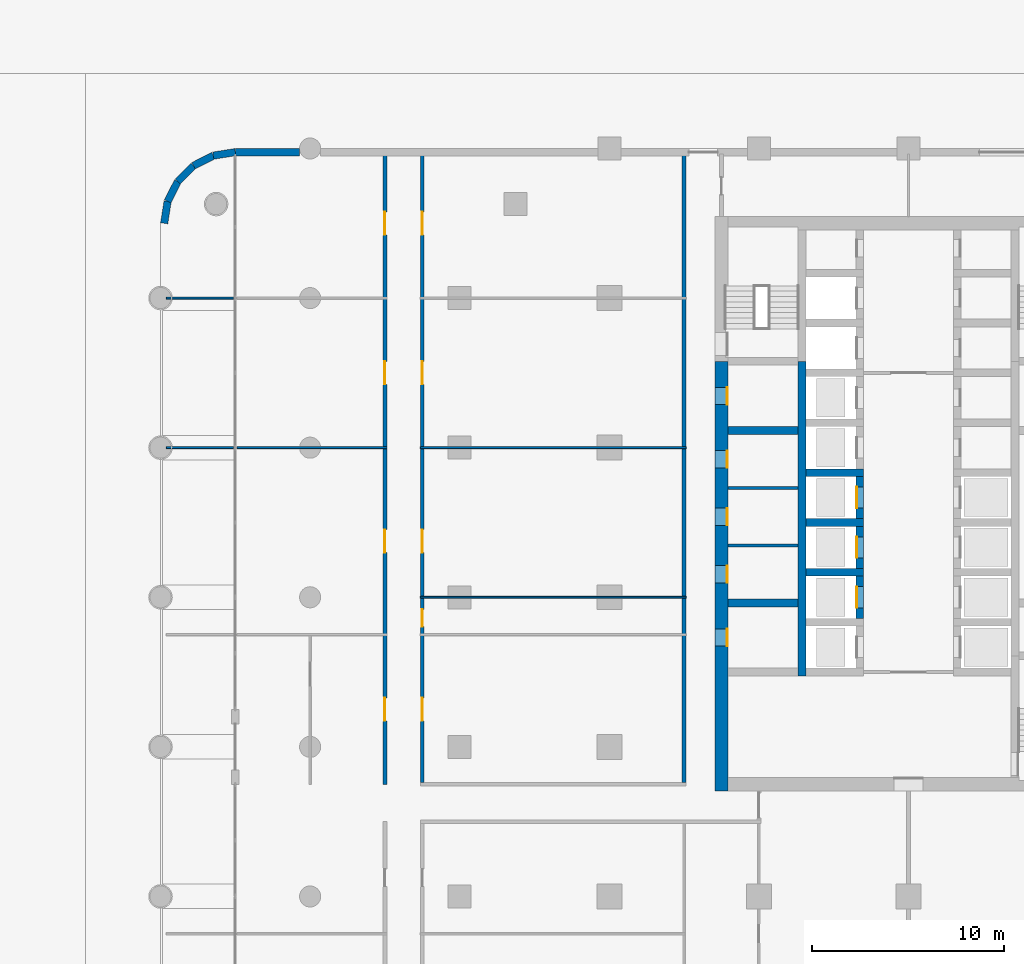
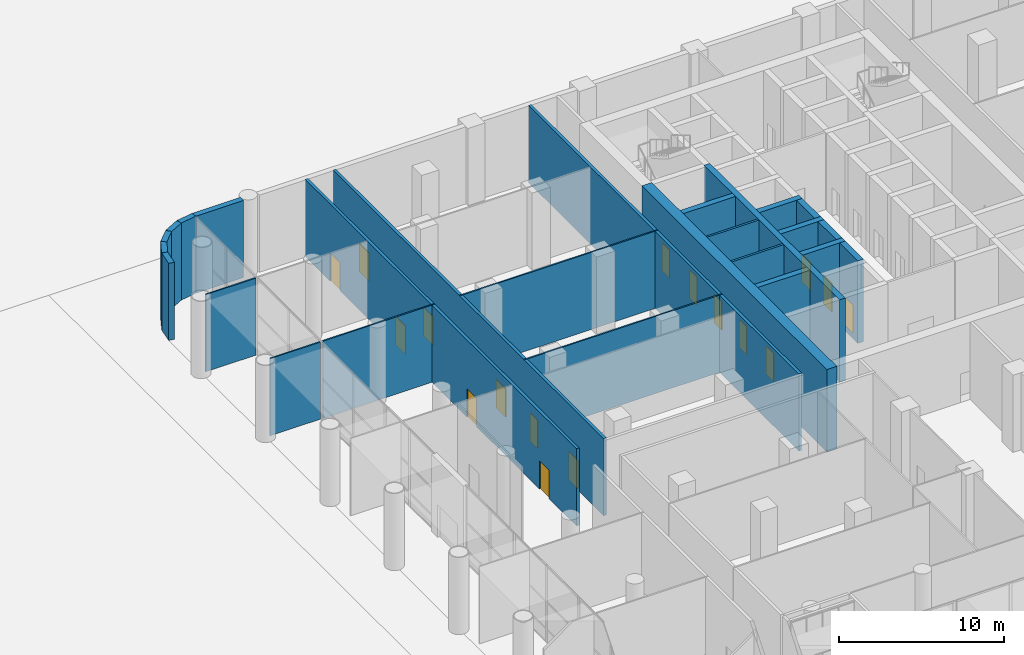
# One storey, part 13 of 32: 26 walls, 17 doors, 17 openings.
"""IFC4 building model written with IfcOpenShell, lengths in metres."""

from ifc_helpers import new_model, si_unit, direction, frame, frame_2d, origin, place, context, subcontext, project, spatial, rectangle, extrude, material, layer, layer_set, type_object, element, fill, save


model = new_model("IFC4")

# Units and contexts
model_context = context("Model", 3, precision=1e-05, world=origin(), true_north=direction((0.0, 1.0)))
body_context = subcontext(model_context, "Body", "Model", "MODEL_VIEW")
ifc_project = project(units=[si_unit("LENGTHUNIT", "METRE"), si_unit("AREAUNIT", "SQUARE_METRE"), si_unit("VOLUMEUNIT", "CUBIC_METRE"), si_unit("PLANEANGLEUNIT", "RADIAN"), si_unit("MASSUNIT", "GRAM", prefix="KILO")], contexts=[model_context])

# Site, building, storey
site_placement = place(None, origin())
site = spatial("IfcSite", under=ifc_project, at=site_placement, CompositionType="ELEMENT")
building_placement = place(site_placement, origin())
building = spatial("IfcBuilding", under=site, at=building_placement, Name="Ludao Terraces", CompositionType="ELEMENT")
storey_placement = place(building_placement, origin())
storey = spatial("IfcBuildingStorey", under=building, at=storey_placement, Name="L00", CompositionType="ELEMENT", Elevation=0.0)

# Wall, openings, doors
ifc_material_1 = material(Name="Concrete C70", Category="concrete")
ifc_layer_1 = layer(ifc_material_1, 0.699951171875)
ifc_layer_set_1 = layer_set([ifc_layer_1], Name="Core wall 700 C70")
wall_type_1 = type_object("IfcWallType", Name="Core wall 700 C70", PredefinedType="SOLIDWALL", material=ifc_layer_set_1)
wall_1_placement = place(storey_placement, frame((75.25, 54.89990234375, -0.39990234375), z_axis=(0.0, 0.0, 1.0), x_axis=(0.0, 1.0, 0.0)))
wall_1 = element("IfcWall", 1, at=wall_1_placement, inside=storey, type_object=wall_type_1, Name="Core wall L00 outer-W", PredefinedType="SOLIDWALL", context=body_context, shape_type="SweptSolid", body=[
    extrude(rectangle(XDim=22.400146484375, YDim=0.699951171875, at=frame_2d((11.2001953125, 0.0))), origin(), (0.0, 0.0, 1.0), 6.099853515625),
])
opening_1_placement = place(wall_1_placement, frame((7.550048828125, 0.0, 0.39990234375)))
opening_1 = element("IfcOpeningElement", 2, at=opening_1_placement, cuts=wall_1, Name="Opening L00-036", PredefinedType="OPENING", context=body_context, shape_type="SweptSolid", body=[
    extrude(rectangle(XDim=0.89990234375, YDim=2.10009765625, at=frame_2d((0.449951171875, 1.050048828125))), frame((0.0, 0.35986328125, 0.0), z_axis=(0.0, -1.0, 0.0), x_axis=(1.0, 0.0, 0.0)), (0.0, 0.0, 1.0), 0.719970703125),
])
opening_2_placement = place(wall_1_placement, frame((10.85009765625, 0.0, 0.39990234375)))
opening_2 = element("IfcOpeningElement", 3, at=opening_2_placement, cuts=wall_1, Name="Opening L00-041", PredefinedType="OPENING", context=body_context, shape_type="SweptSolid", body=[
    extrude(rectangle(XDim=0.89990234375, YDim=2.10009765625, at=frame_2d((0.449951171875, 1.050048828125))), frame((0.0, 0.35986328125, 0.0), z_axis=(0.0, -1.0, 0.0), x_axis=(1.0, 0.0, 0.0)), (0.0, 0.0, 1.0), 0.719970703125),
])
opening_3_placement = place(wall_1_placement, frame((13.85009765625, 0.0, 0.39990234375)))
opening_3 = element("IfcOpeningElement", 4, at=opening_3_placement, cuts=wall_1, Name="Opening L00-046", PredefinedType="OPENING", context=body_context, shape_type="SweptSolid", body=[
    extrude(rectangle(XDim=0.89990234375, YDim=2.10009765625, at=frame_2d((0.449951171875, 1.050048828125))), frame((0.0, 0.35986328125, 0.0), z_axis=(0.0, -1.0, 0.0), x_axis=(1.0, 0.0, 0.0)), (0.0, 0.0, 1.0), 0.719970703125),
])
opening_4_placement = place(wall_1_placement, frame((16.85009765625, 0.0, 0.39990234375)))
opening_4 = element("IfcOpeningElement", 5, at=opening_4_placement, cuts=wall_1, Name="Opening L00-052", PredefinedType="OPENING", context=body_context, shape_type="SweptSolid", body=[
    extrude(rectangle(XDim=0.89990234375, YDim=2.10009765625, at=frame_2d((0.449951171875, 1.050048828125))), frame((0.0, 0.35986328125, 0.0), z_axis=(0.0, -1.0, 0.0), x_axis=(1.0, 0.0, 0.0)), (0.0, 0.0, 1.0), 0.719970703125),
])
opening_5_placement = place(wall_1_placement, frame((20.14990234375, 0.0, 0.39990234375)))
opening_5 = element("IfcOpeningElement", 6, at=opening_5_placement, cuts=wall_1, Name="Opening L00-057", PredefinedType="OPENING", context=body_context, shape_type="SweptSolid", body=[
    extrude(rectangle(XDim=0.89990234375, YDim=2.10009765625, at=frame_2d((0.449951171875, 1.050048828125))), frame((0.0, 0.35986328125, 0.0), z_axis=(0.0, -1.0, 0.0), x_axis=(1.0, 0.0, 0.0)), (0.0, 0.0, 1.0), 0.719970703125),
])
ifc_material_2 = material(Name="Steel Q235", Category="steel")
door_type_1 = type_object("IfcDoorType", Name="INT Riser door 900", OperationType="SINGLE_SWING_LEFT", PredefinedType="DOOR", material=ifc_material_2)
door_1_placement = place(opening_1_placement, origin())
door_1 = element("IfcDoor", 7, at=door_1_placement, inside=storey, type_object=door_type_1, Name="DOOR 036", OperationType="SINGLE_SWING_LEFT", OverallHeight=2.10009765625, OverallWidth=0.89990234375, PredefinedType="DOOR", context=body_context, shape_type="SweptSolid", body=[
    extrude(rectangle(XDim=0.89990234375, YDim=2.10009765625, at=frame_2d((0.449951171875, 1.050048828125))), frame((0.0, -0.28515625, 0.0), z_axis=(0.0, -1.0, 0.0), x_axis=(1.0, 0.0, 0.0)), (0.0, 0.0, 1.0), 0.050048828125),
])
fill(opening_1, door_1)
door_2_placement = place(opening_5_placement, origin())
door_2 = element("IfcDoor", 8, at=door_2_placement, inside=storey, type_object=door_type_1, Name="DOOR 057", OperationType="SINGLE_SWING_RIGHT", OverallHeight=2.10009765625, OverallWidth=0.89990234375, PredefinedType="DOOR", context=body_context, shape_type="SweptSolid", body=[
    extrude(rectangle(XDim=0.89990234375, YDim=2.10009765625, at=frame_2d((0.449951171875, 1.050048828125))), frame((0.0, -0.28515625, 0.0), z_axis=(0.0, -1.0, 0.0), x_axis=(1.0, 0.0, 0.0)), (0.0, 0.0, 1.0), 0.050048828125),
])
fill(opening_5, door_2)
ifc_material_3 = material(Name="Timber door leaf", Category="wood")
door_type_2 = type_object("IfcDoorType", Name="INT Room door 900", OperationType="SINGLE_SWING_LEFT", PredefinedType="DOOR", material=ifc_material_3)
door_3_placement = place(opening_2_placement, origin())
door_3 = element("IfcDoor", 9, at=door_3_placement, inside=storey, type_object=door_type_2, Name="DOOR 041", OperationType="SINGLE_SWING_RIGHT", OverallHeight=2.10009765625, OverallWidth=0.89990234375, PredefinedType="DOOR", context=body_context, shape_type="SweptSolid", body=[
    extrude(rectangle(XDim=0.89990234375, YDim=2.10009765625, at=frame_2d((0.449951171875, 1.050048828125))), frame((0.0, -0.28515625, 0.0), z_axis=(0.0, -1.0, 0.0), x_axis=(1.0, 0.0, 0.0)), (0.0, 0.0, 1.0), 0.050048828125),
])
fill(opening_2, door_3)
door_4_placement = place(opening_3_placement, origin())
door_4 = element("IfcDoor", 10, at=door_4_placement, inside=storey, type_object=door_type_2, Name="DOOR 046", OperationType="SINGLE_SWING_RIGHT", OverallHeight=2.10009765625, OverallWidth=0.89990234375, PredefinedType="DOOR", context=body_context, shape_type="SweptSolid", body=[
    extrude(rectangle(XDim=0.89990234375, YDim=2.10009765625, at=frame_2d((0.449951171875, 1.050048828125))), frame((0.0, -0.28515625, 0.0), z_axis=(0.0, -1.0, 0.0), x_axis=(1.0, 0.0, 0.0)), (0.0, 0.0, 1.0), 0.050048828125),
])
fill(opening_3, door_4)
door_5_placement = place(opening_4_placement, origin())
door_5 = element("IfcDoor", 11, at=door_5_placement, inside=storey, type_object=door_type_2, Name="DOOR 052", OperationType="SINGLE_SWING_LEFT", OverallHeight=2.10009765625, OverallWidth=0.89990234375, PredefinedType="DOOR", context=body_context, shape_type="SweptSolid", body=[
    extrude(rectangle(XDim=0.89990234375, YDim=2.10009765625, at=frame_2d((0.449951171875, 1.050048828125))), frame((0.0, -0.28515625, 0.0), z_axis=(0.0, -1.0, 0.0), x_axis=(1.0, 0.0, 0.0)), (0.0, 0.0, 1.0), 0.050048828125),
])
fill(opening_4, door_5)

# Walls
ifc_material_4 = material(Name="Granite cladding", Category="masonry")
ifc_layer_2 = layer(ifc_material_4, 0.06005859375, Category="stone")
ifc_material_5 = material(Name="Mineral wool")
ifc_layer_3 = layer(ifc_material_5, 0.06005859375)
ifc_material_6 = material(Name="Concrete C40", Category="concrete")
ifc_layer_4 = layer(ifc_material_6, 0.260009765625, Category="concrete")
ifc_layer_set_2 = layer_set([ifc_layer_2, ifc_layer_3, ifc_layer_4], Name="ENV Stone-clad wall 380")
wall_type_2 = type_object("IfcWallType", Name="ENV Stone-clad wall 380", PredefinedType="SOLIDWALL", material=ifc_layer_set_2)
wall_2_placement = place(storey_placement, frame((49.89990234375, 88.2099609375, 0.0), z_axis=(0.0, 0.0, 1.0), x_axis=(1.0, 0.0, 0.0)))
element("IfcWall", 12, at=wall_2_placement, inside=storey, type_object=wall_type_2, Name="EW-L00-N1", PredefinedType="SOLIDWALL", context=body_context, shape_type="SweptSolid", body=[
    extrude(rectangle(XDim=3.35009765625, YDim=0.3798828125, at=frame_2d((1.675048828125, 0.0))), origin(), (0.0, 0.0, 1.0), 5.699951171875),
])
wall_3_placement = place(storey_placement, frame((49.89990234375, 88.2099609375, 0.0), z_axis=(0.0, 0.0, 1.0), x_axis=(-0.987675821844, -0.156513484867, 0.0)))
element("IfcWall", 13, at=wall_3_placement, inside=storey, type_object=wall_type_2, Name="EW-L00-NW1", PredefinedType="SOLIDWALL", context=body_context, shape_type="SweptSolid", body=[
    extrude(rectangle(XDim=1.16064453125, YDim=0.3798828125, at=frame_2d((0.580322265625, 0.0))), origin(), (0.0, 0.0, 1.0), 5.699951171875),
])
for number, where, z_axis, x_axis, name in (
    (14, (48.753662109375, 88.0283203125, 0.0), (0.0, 0.0, 1.0), (-0.891079617357, -0.453847017762, 0.0), "EW-L00-NW2"),
    (15, (47.71923828125, 87.50146484375, 0.0), (0.0, 0.0, 1.0), (-0.707106781187, -0.707106781187, 0.0), "EW-L00-NW3"),
):
    element("IfcWall", number, at=place(storey_placement, frame(where, z_axis=z_axis, x_axis=x_axis)), inside=storey, type_object=wall_type_2, Name=name, PredefinedType="SOLIDWALL", context=body_context, shape_type="SweptSolid", body=[
        extrude(rectangle(XDim=1.160888671875, YDim=0.3798828125, at=frame_2d((0.58056640625, 0.0))), origin(), (0.0, 0.0, 1.0), 5.699951171875),
    ])
wall_4_placement = place(storey_placement, frame((46.8984375, 86.6806640625, 0.0), z_axis=(0.0, 0.0, 1.0), x_axis=(-0.453932083539, -0.891036286317, 0.0)))
element("IfcWall", 16, at=wall_4_placement, inside=storey, type_object=wall_type_2, Name="EW-L00-NW4", PredefinedType="SOLIDWALL", context=body_context, shape_type="SweptSolid", body=[
    extrude(rectangle(XDim=1.16064453125, YDim=0.3798828125, at=frame_2d((0.580322265625, 0.0))), origin(), (0.0, 0.0, 1.0), 5.699951171875),
])
wall_5_placement = place(storey_placement, frame((46.37158203125, 85.646484375, 0.0), z_axis=(0.0, 0.0, 1.0), x_axis=(-0.156480971952, -0.987680973502, 0.0)))
element("IfcWall", 17, at=wall_5_placement, inside=storey, type_object=wall_type_2, Name="EW-L00-NW5", PredefinedType="SOLIDWALL", context=body_context, shape_type="SweptSolid", body=[
    extrude(rectangle(XDim=1.160888671875, YDim=0.3798828125, at=frame_2d((0.58056640625, 0.0))), origin(), (0.0, 0.0, 1.0), 5.699951171875),
])
ifc_material_7 = material(Name="Fire-rated gypsum plasterboard", Category="gypsum")
ifc_layer_5 = layer(ifc_material_7, 0.012451171875, Category="gypsum")
ifc_layer_6 = layer(ifc_material_5, 0.10009765625, Name="insulation")
ifc_layer_7 = layer(ifc_material_2, 0.02490234375, Name="stud")
ifc_layer_8 = layer(ifc_material_7, 0.012451171875, Category="gypsum")
ifc_layer_set_3 = layer_set([ifc_layer_5, ifc_layer_6, ifc_layer_7, ifc_layer_8], Name="INT Core partition 150")
wall_type_3 = type_object("IfcWallType", Name="INT Core partition 150", PredefinedType="PARTITIONING", material=ifc_layer_set_3)
for number, where, z_axis, x_axis, name in (
    (18, (75.60009765625, 67.699951171875, 0.0), (0.0, 0.0, 1.0), (1.0, 0.0, 0.0), "PW-L00-PW034"),
    (19, (75.60009765625, 70.699951171875, 0.0), (0.0, 0.0, 1.0), (1.0, 0.0, 0.0), "PW-L00-PW035"),
):
    element("IfcWall", number, at=place(storey_placement, frame(where, z_axis=z_axis, x_axis=x_axis)), inside=storey, type_object=wall_type_3, Name=name, PredefinedType="PARTITIONING", context=body_context, shape_type="SweptSolid", body=[
        extrude(rectangle(XDim=3.64990234375, YDim=0.14990234375, at=frame_2d((1.824951171875, 0.0))), origin(), (0.0, 0.0, 1.0), 5.699951171875),
    ])

# Wall, openings, doors
ifc_material_8 = material(Name="Autoclaved aerated concrete block B06 A3.5", Category="concrete")
ifc_layer_9 = layer(ifc_material_8, 0.199951171875)
ifc_layer_set_4 = layer_set([ifc_layer_9], Name="INT Entrance wall 200")
wall_type_4 = type_object("IfcWallType", Name="INT Entrance wall 200", PredefinedType="PARTITIONING", material=ifc_layer_set_4)
wall_6_placement = place(storey_placement, frame((57.699951171875, 55.25, 0.0), z_axis=(0.0, 0.0, 1.0), x_axis=(0.0, 1.0, 0.0)))
wall_6 = element("IfcWall", 20, at=wall_6_placement, inside=storey, type_object=wall_type_4, Name="PW-L00-PW052", PredefinedType="PARTITIONING", context=body_context, shape_type="SweptSolid", body=[
    extrude(rectangle(XDim=32.85009765625, YDim=0.199951171875, at=frame_2d((16.425048828125, 0.0))), origin(), (0.0, 0.0, 1.0), 5.699951171875),
])
opening_6_placement = place(wall_6_placement, frame((3.300048828125, 0.0, 0.0)))
opening_6 = element("IfcOpeningElement", 21, at=opening_6_placement, cuts=wall_6, Name="Opening L00-028", PredefinedType="OPENING", context=body_context, shape_type="SweptSolid", body=[
    extrude(rectangle(XDim=1.199951171875, YDim=2.10009765625, at=frame_2d((0.60009765625, 1.050048828125))), frame((0.0, 0.10986328125, 0.0), z_axis=(0.0, -1.0, 0.0), x_axis=(1.0, 0.0, 0.0)), (0.0, 0.0, 1.0), 0.219970703125),
])
opening_7_placement = place(wall_6_placement, frame((12.0751953125, 0.0, 0.0)))
opening_7 = element("IfcOpeningElement", 22, at=opening_7_placement, cuts=wall_6, Name="Opening L00-044", PredefinedType="OPENING", context=body_context, shape_type="SweptSolid", body=[
    extrude(rectangle(XDim=1.199951171875, YDim=2.10009765625, at=frame_2d((0.60009765625, 1.050048828125))), frame((0.0, 0.10986328125, 0.0), z_axis=(0.0, -1.0, 0.0), x_axis=(1.0, 0.0, 0.0)), (0.0, 0.0, 1.0), 0.219970703125),
])
opening_8_placement = place(wall_6_placement, frame((20.85009765625, 0.0, 0.0)))
opening_8 = element("IfcOpeningElement", 23, at=opening_8_placement, cuts=wall_6, Name="Opening L00-059", PredefinedType="OPENING", context=body_context, shape_type="SweptSolid", body=[
    extrude(rectangle(XDim=1.199951171875, YDim=2.10009765625, at=frame_2d((0.60009765625, 1.050048828125))), frame((0.0, 0.10986328125, 0.0), z_axis=(0.0, -1.0, 0.0), x_axis=(1.0, 0.0, 0.0)), (0.0, 0.0, 1.0), 0.219970703125),
])
opening_9_placement = place(wall_6_placement, frame((28.650146484375, 0.0, 0.0)))
opening_9 = element("IfcOpeningElement", 24, at=opening_9_placement, cuts=wall_6, Name="Opening L00-072", PredefinedType="OPENING", context=body_context, shape_type="SweptSolid", body=[
    extrude(rectangle(XDim=1.199951171875, YDim=2.10009765625, at=frame_2d((0.60009765625, 1.050048828125))), frame((0.0, 0.10986328125, 0.0), z_axis=(0.0, -1.0, 0.0), x_axis=(1.0, 0.0, 0.0)), (0.0, 0.0, 1.0), 0.219970703125),
])
door_type_3 = type_object("IfcDoorType", Name="INT Double door 1200", OperationType="DOUBLE_DOOR_SINGLE_SWING", PredefinedType="DOOR", material=ifc_material_3)
door_6_placement = place(opening_6_placement, origin())
door_6 = element("IfcDoor", 25, at=door_6_placement, inside=storey, type_object=door_type_3, Name="DOOR 028", OperationType="DOUBLE_DOOR_SINGLE_SWING", OverallHeight=2.10009765625, OverallWidth=1.199951171875, PredefinedType="DOOR", context=body_context, shape_type="SweptSolid", body=[
    extrude(rectangle(XDim=1.199951171875, YDim=2.10009765625, at=frame_2d((0.60009765625, 1.050048828125))), frame((0.0, 0.02490234375, 0.0), z_axis=(0.0, -1.0, 0.0), x_axis=(1.0, 0.0, 0.0)), (0.0, 0.0, 1.0), 0.050048828125),
])
fill(opening_6, door_6)
door_7_placement = place(opening_7_placement, origin())
door_7 = element("IfcDoor", 26, at=door_7_placement, inside=storey, type_object=door_type_3, Name="DOOR 044", OperationType="DOUBLE_DOOR_SINGLE_SWING", OverallHeight=2.10009765625, OverallWidth=1.199951171875, PredefinedType="DOOR", context=body_context, shape_type="SweptSolid", body=[
    extrude(rectangle(XDim=1.199951171875, YDim=2.10009765625, at=frame_2d((0.60009765625, 1.050048828125))), frame((0.0, 0.02490234375, 0.0), z_axis=(0.0, -1.0, 0.0), x_axis=(1.0, 0.0, 0.0)), (0.0, 0.0, 1.0), 0.050048828125),
])
fill(opening_7, door_7)
door_8_placement = place(opening_8_placement, origin())
door_8 = element("IfcDoor", 27, at=door_8_placement, inside=storey, type_object=door_type_3, Name="DOOR 059", OperationType="DOUBLE_DOOR_SINGLE_SWING", OverallHeight=2.10009765625, OverallWidth=1.199951171875, PredefinedType="DOOR", context=body_context, shape_type="SweptSolid", body=[
    extrude(rectangle(XDim=1.199951171875, YDim=2.10009765625, at=frame_2d((0.60009765625, 1.050048828125))), frame((0.0, 0.02490234375, 0.0), z_axis=(0.0, -1.0, 0.0), x_axis=(1.0, 0.0, 0.0)), (0.0, 0.0, 1.0), 0.050048828125),
])
fill(opening_8, door_8)
door_9_placement = place(opening_9_placement, origin())
door_9 = element("IfcDoor", 28, at=door_9_placement, inside=storey, type_object=door_type_3, Name="DOOR 072", OperationType="DOUBLE_DOOR_SINGLE_SWING", OverallHeight=2.10009765625, OverallWidth=1.199951171875, PredefinedType="DOOR", context=body_context, shape_type="SweptSolid", body=[
    extrude(rectangle(XDim=1.199951171875, YDim=2.10009765625, at=frame_2d((0.60009765625, 1.050048828125))), frame((0.0, 0.02490234375, 0.0), z_axis=(0.0, -1.0, 0.0), x_axis=(1.0, 0.0, 0.0)), (0.0, 0.0, 1.0), 0.050048828125),
])
fill(opening_9, door_9)

wall_7_placement = place(storey_placement, frame((59.64990234375, 55.35009765625, 0.0), z_axis=(0.0, 0.0, 1.0), x_axis=(0.0, 1.0, 0.0)))
wall_7 = element("IfcWall", 29, at=wall_7_placement, inside=storey, type_object=wall_type_4, Name="PW-L00-PW054", PredefinedType="PARTITIONING", context=body_context, shape_type="SweptSolid", body=[
    extrude(rectangle(XDim=32.75, YDim=0.199951171875, at=frame_2d((16.375, 0.0))), origin(), (0.0, 0.0, 1.0), 5.699951171875),
])
opening_10_placement = place(wall_7_placement, frame((3.199951171875, 0.0, 0.0)))
opening_10 = element("IfcOpeningElement", 30, at=opening_10_placement, cuts=wall_7, Name="Opening L00-029", PredefinedType="OPENING", context=body_context, shape_type="SweptSolid", body=[
    extrude(rectangle(XDim=1.199951171875, YDim=2.10009765625, at=frame_2d((0.60009765625, 1.050048828125))), frame((0.0, 0.10986328125, 0.0), z_axis=(0.0, -1.0, 0.0), x_axis=(1.0, 0.0, 0.0)), (0.0, 0.0, 1.0), 0.219970703125),
])
opening_11_placement = place(wall_7_placement, frame((8.11669921875, 0.0, 0.0)))
opening_11 = element("IfcOpeningElement", 31, at=opening_11_placement, cuts=wall_7, Name="Opening L00-038", PredefinedType="OPENING", context=body_context, shape_type="SweptSolid", body=[
    extrude(rectangle(XDim=0.89990234375, YDim=2.10009765625, at=frame_2d((0.449951171875, 1.050048828125))), frame((0.0, 0.10986328125, 0.0), z_axis=(0.0, -1.0, 0.0), x_axis=(1.0, 0.0, 0.0)), (0.0, 0.0, 1.0), 0.219970703125),
])
opening_12_placement = place(wall_7_placement, frame((11.97509765625, 0.0, 0.0)))
opening_12 = element("IfcOpeningElement", 32, at=opening_12_placement, cuts=wall_7, Name="Opening L00-045", PredefinedType="OPENING", context=body_context, shape_type="SweptSolid", body=[
    extrude(rectangle(XDim=1.199951171875, YDim=2.10009765625, at=frame_2d((0.60009765625, 1.050048828125))), frame((0.0, 0.10986328125, 0.0), z_axis=(0.0, -1.0, 0.0), x_axis=(1.0, 0.0, 0.0)), (0.0, 0.0, 1.0), 0.219970703125),
])
opening_13_placement = place(wall_7_placement, frame((20.75, 0.0, 0.0)))
opening_13 = element("IfcOpeningElement", 33, at=opening_13_placement, cuts=wall_7, Name="Opening L00-060", PredefinedType="OPENING", context=body_context, shape_type="SweptSolid", body=[
    extrude(rectangle(XDim=1.199951171875, YDim=2.10009765625, at=frame_2d((0.60009765625, 1.050048828125))), frame((0.0, 0.10986328125, 0.0), z_axis=(0.0, -1.0, 0.0), x_axis=(1.0, 0.0, 0.0)), (0.0, 0.0, 1.0), 0.219970703125),
])
opening_14_placement = place(wall_7_placement, frame((28.550048828125, 0.0, 0.0)))
opening_14 = element("IfcOpeningElement", 34, at=opening_14_placement, cuts=wall_7, Name="Opening L00-073", PredefinedType="OPENING", context=body_context, shape_type="SweptSolid", body=[
    extrude(rectangle(XDim=1.199951171875, YDim=2.10009765625, at=frame_2d((0.60009765625, 1.050048828125))), frame((0.0, 0.10986328125, 0.0), z_axis=(0.0, -1.0, 0.0), x_axis=(1.0, 0.0, 0.0)), (0.0, 0.0, 1.0), 0.219970703125),
])
door_10_placement = place(opening_10_placement, origin())
door_10 = element("IfcDoor", 35, at=door_10_placement, inside=storey, type_object=door_type_3, Name="DOOR 029", OperationType="DOUBLE_DOOR_SINGLE_SWING", OverallHeight=2.10009765625, OverallWidth=1.199951171875, PredefinedType="DOOR", context=body_context, shape_type="SweptSolid", body=[
    extrude(rectangle(XDim=1.199951171875, YDim=2.10009765625, at=frame_2d((0.60009765625, 1.050048828125))), frame((0.0, 0.02490234375, 0.0), z_axis=(0.0, -1.0, 0.0), x_axis=(1.0, 0.0, 0.0)), (0.0, 0.0, 1.0), 0.050048828125),
])
fill(opening_10, door_10)
door_11_placement = place(opening_12_placement, origin())
door_11 = element("IfcDoor", 36, at=door_11_placement, inside=storey, type_object=door_type_3, Name="DOOR 045", OperationType="DOUBLE_DOOR_SINGLE_SWING", OverallHeight=2.10009765625, OverallWidth=1.199951171875, PredefinedType="DOOR", context=body_context, shape_type="SweptSolid", body=[
    extrude(rectangle(XDim=1.199951171875, YDim=2.10009765625, at=frame_2d((0.60009765625, 1.050048828125))), frame((0.0, 0.02490234375, 0.0), z_axis=(0.0, -1.0, 0.0), x_axis=(1.0, 0.0, 0.0)), (0.0, 0.0, 1.0), 0.050048828125),
])
fill(opening_12, door_11)
door_12_placement = place(opening_13_placement, origin())
door_12 = element("IfcDoor", 37, at=door_12_placement, inside=storey, type_object=door_type_3, Name="DOOR 060", OperationType="DOUBLE_DOOR_SINGLE_SWING", OverallHeight=2.10009765625, OverallWidth=1.199951171875, PredefinedType="DOOR", context=body_context, shape_type="SweptSolid", body=[
    extrude(rectangle(XDim=1.199951171875, YDim=2.10009765625, at=frame_2d((0.60009765625, 1.050048828125))), frame((0.0, 0.02490234375, 0.0), z_axis=(0.0, -1.0, 0.0), x_axis=(1.0, 0.0, 0.0)), (0.0, 0.0, 1.0), 0.050048828125),
])
fill(opening_13, door_12)
door_13_placement = place(opening_14_placement, origin())
door_13 = element("IfcDoor", 38, at=door_13_placement, inside=storey, type_object=door_type_3, Name="DOOR 073", OperationType="DOUBLE_DOOR_SINGLE_SWING", OverallHeight=2.10009765625, OverallWidth=1.199951171875, PredefinedType="DOOR", context=body_context, shape_type="SweptSolid", body=[
    extrude(rectangle(XDim=1.199951171875, YDim=2.10009765625, at=frame_2d((0.60009765625, 1.050048828125))), frame((0.0, 0.02490234375, 0.0), z_axis=(0.0, -1.0, 0.0), x_axis=(1.0, 0.0, 0.0)), (0.0, 0.0, 1.0), 0.050048828125),
])
fill(opening_14, door_13)
door_14_placement = place(opening_11_placement, origin())
door_14 = element("IfcDoor", 39, at=door_14_placement, inside=storey, type_object=door_type_2, Name="DOOR 038", OperationType="SINGLE_SWING_RIGHT", OverallHeight=2.10009765625, OverallWidth=0.89990234375, PredefinedType="DOOR", context=body_context, shape_type="SweptSolid", body=[
    extrude(rectangle(XDim=0.89990234375, YDim=2.10009765625, at=frame_2d((0.449951171875, 1.050048828125))), frame((0.0, 0.02490234375, 0.0), z_axis=(0.0, -1.0, 0.0), x_axis=(1.0, 0.0, 0.0)), (0.0, 0.0, 1.0), 0.050048828125),
])
fill(opening_11, door_14)

# Walls
wall_8_placement = place(storey_placement, frame((73.300048828125, 55.35009765625, 0.0), z_axis=(0.0, 0.0, 1.0), x_axis=(0.0, 1.0, 0.0)))
element("IfcWall", 40, at=wall_8_placement, inside=storey, type_object=wall_type_4, Name="PW-L00-PW056", PredefinedType="PARTITIONING", context=body_context, shape_type="SweptSolid", body=[
    extrude(rectangle(XDim=32.75, YDim=0.199951171875, at=frame_2d((16.375, 0.0))), origin(), (0.0, 0.0, 1.0), 5.699951171875),
])
ifc_material_9 = material(Name="Gypsum plasterboard", Category="gypsum")
ifc_layer_10 = layer(ifc_material_9, 0.012451171875, Category="gypsum")
ifc_layer_11 = layer(ifc_material_5, 0.06005859375, Name="insulation")
ifc_layer_12 = layer(ifc_material_2, 0.014892578125, Name="stud")
ifc_layer_13 = layer(ifc_material_9, 0.012451171875, Category="gypsum")
ifc_layer_set_5 = layer_set([ifc_layer_10, ifc_layer_11, ifc_layer_12, ifc_layer_13], Name="INT Partition 100")
wall_type_5 = type_object("IfcWallType", Name="INT Partition 100", PredefinedType="PARTITIONING", material=ifc_layer_set_5)
wall_9_placement = place(storey_placement, frame((59.550048828125, 65.0, 0.0), z_axis=(0.0, 0.0, 1.0), x_axis=(1.0, 0.0, 0.0)))
element("IfcWall", 41, at=wall_9_placement, inside=storey, type_object=wall_type_5, Name="PW-L00-PW030", PredefinedType="PARTITIONING", context=body_context, shape_type="SweptSolid", body=[
    extrude(rectangle(XDim=13.85009765625, YDim=0.10009765625, at=frame_2d((6.925048828125, 0.0))), origin(), (0.0, 0.0, 1.0), 5.699951171875),
])
wall_10_placement = place(storey_placement, frame((46.300048828125, 72.800048828125, 0.0), z_axis=(0.0, 0.0, 1.0), x_axis=(1.0, 0.0, 0.0)))
element("IfcWall", 42, at=wall_10_placement, inside=storey, type_object=wall_type_5, Name="PW-L00-PW036", PredefinedType="PARTITIONING", context=body_context, shape_type="SweptSolid", body=[
    extrude(rectangle(XDim=3.5, YDim=0.10009765625, at=frame_2d((1.75, 0.0))), origin(), (0.0, 0.0, 1.0), 5.699951171875),
])
wall_11_placement = place(storey_placement, frame((50.0, 72.800048828125, 0.0), z_axis=(0.0, 0.0, 1.0), x_axis=(1.0, 0.0, 0.0)))
element("IfcWall", 43, at=wall_11_placement, inside=storey, type_object=wall_type_5, Name="PW-L00-PW037", PredefinedType="PARTITIONING", context=body_context, shape_type="SweptSolid", body=[
    extrude(rectangle(XDim=7.800048828125, YDim=0.10009765625, at=frame_2d((3.89990234375, 0.0))), origin(), (0.0, 0.0, 1.0), 5.699951171875),
])
wall_12_placement = place(storey_placement, frame((59.550048828125, 72.800048828125, 0.0), z_axis=(0.0, 0.0, 1.0), x_axis=(1.0, 0.0, 0.0)))
element("IfcWall", 44, at=wall_12_placement, inside=storey, type_object=wall_type_5, Name="PW-L00-PW038", PredefinedType="PARTITIONING", context=body_context, shape_type="SweptSolid", body=[
    extrude(rectangle(XDim=13.85009765625, YDim=0.10009765625, at=frame_2d((6.925048828125, 0.0))), origin(), (0.0, 0.0, 1.0), 5.699951171875),
])
wall_13_placement = place(storey_placement, frame((46.300048828125, 80.60009765625, 0.0), z_axis=(0.0, 0.0, 1.0), x_axis=(1.0, 0.0, 0.0)))
element("IfcWall", 45, at=wall_13_placement, inside=storey, type_object=wall_type_5, Name="PW-L00-PW043", PredefinedType="PARTITIONING", context=body_context, shape_type="SweptSolid", body=[
    extrude(rectangle(XDim=3.5, YDim=0.10009765625, at=frame_2d((1.75, 0.0))), origin(), (0.0, 0.0, 1.0), 5.699951171875),
])
ifc_material_10 = material(Name="Concrete C60", Category="concrete")
ifc_layer_14 = layer(ifc_material_10, 0.39990234375)
ifc_layer_set_6 = layer_set([ifc_layer_14], Name="Shaft wall 400 C60")
wall_type_6 = type_object("IfcWallType", Name="Shaft wall 400 C60", PredefinedType="SOLIDWALL", material=ifc_layer_set_6)
wall_14_placement = place(storey_placement, frame((79.449951171875, 60.89990234375, -0.39990234375), z_axis=(0.0, 0.0, 1.0), x_axis=(0.0, 1.0, 0.0)))
element("IfcWall", 46, at=wall_14_placement, inside=storey, type_object=wall_type_6, Name="Core wall L00 back-W", PredefinedType="SOLIDWALL", context=body_context, shape_type="SweptSolid", body=[
    extrude(rectangle(XDim=16.400146484375, YDim=0.39990234375, at=frame_2d((8.2001953125, 0.0))), origin(), (0.0, 0.0, 1.0), 6.099853515625),
])

# Wall, opening, door
wall_15_placement = place(storey_placement, frame((82.449951171875, 63.89990234375, -0.39990234375), z_axis=(0.0, 0.0, 1.0), x_axis=(0.0, 1.0, 0.0)))
wall_15 = element("IfcWall", 47, at=wall_15_placement, inside=storey, type_object=wall_type_6, Name="Core wall L00 front-W2", PredefinedType="SOLIDWALL", context=body_context, shape_type="SweptSolid", body=[
    extrude(rectangle(XDim=2.2001953125, YDim=0.39990234375, at=frame_2d((1.10009765625, 0.0))), origin(), (0.0, 0.0, 1.0), 6.099853515625),
])
opening_15_placement = place(wall_15_placement, frame((0.550048828125, 0.0, 0.39990234375)))
opening_15 = element("IfcOpeningElement", 48, at=opening_15_placement, cuts=wall_15, Name="Opening LD-LA2", PredefinedType="OPENING", context=body_context, shape_type="SweptSolid", body=[
    extrude(rectangle(XDim=1.10009765625, YDim=2.10009765625, at=frame_2d((0.550048828125, 1.050048828125))), frame((0.0, 0.2099609375, 0.0), z_axis=(0.0, -1.0, 0.0), x_axis=(1.0, 0.0, 0.0)), (0.0, 0.0, 1.0), 0.419921875),
])
ifc_material_11 = material(Name="Stainless steel 304", Category="steel")
door_type_4 = type_object("IfcDoorType", Name="INT Lift landing door 1100", OperationType="SLIDING_TO_LEFT", PredefinedType="DOOR", material=ifc_material_11)
door_15_placement = place(opening_15_placement, origin())
door_15 = element("IfcDoor", 49, at=door_15_placement, inside=storey, type_object=door_type_4, Name="LANDING DOOR LA2 L00", OperationType="SLIDING_TO_RIGHT", OverallHeight=2.10009765625, OverallWidth=1.10009765625, PredefinedType="DOOR", context=body_context, shape_type="SweptSolid", body=[
    extrude(rectangle(XDim=1.10009765625, YDim=2.10009765625, at=frame_2d((0.550048828125, 1.050048828125))), frame((0.0, 0.18505859375, 0.0), z_axis=(0.0, -1.0, 0.0), x_axis=(1.0, 0.0, 0.0)), (0.0, 0.0, 1.0), 0.050048828125),
])
fill(opening_15, door_15)

# Wall
wall_16_placement = place(storey_placement, frame((79.64990234375, 66.300048828125, -0.39990234375), z_axis=(0.0, 0.0, 1.0), x_axis=(1.0, 0.0, 0.0)))
element("IfcWall", 50, at=wall_16_placement, inside=storey, type_object=wall_type_6, Name="Core wall L00 div-W3", PredefinedType="SOLIDWALL", context=body_context, shape_type="SweptSolid", body=[
    extrude(rectangle(XDim=3.0, YDim=0.39990234375, at=frame_2d((1.5, 0.0))), origin(), (0.0, 0.0, 1.0), 6.099853515625),
])

# Wall, opening, door
wall_17_placement = place(storey_placement, frame((82.449951171875, 66.5, -0.39990234375), z_axis=(0.0, 0.0, 1.0), x_axis=(0.0, 1.0, 0.0)))
wall_17 = element("IfcWall", 51, at=wall_17_placement, inside=storey, type_object=wall_type_6, Name="Core wall L00 front-W3", PredefinedType="SOLIDWALL", context=body_context, shape_type="SweptSolid", body=[
    extrude(rectangle(XDim=2.199951171875, YDim=0.39990234375, at=frame_2d((1.10009765625, 0.0))), origin(), (0.0, 0.0, 1.0), 6.099853515625),
])
opening_16_placement = place(wall_17_placement, frame((0.550048828125, 0.0, 0.39990234375)))
opening_16 = element("IfcOpeningElement", 52, at=opening_16_placement, cuts=wall_17, Name="Opening LD-LA3", PredefinedType="OPENING", context=body_context, shape_type="SweptSolid", body=[
    extrude(rectangle(XDim=1.10009765625, YDim=2.10009765625, at=frame_2d((0.550048828125, 1.050048828125))), frame((0.0, 0.2099609375, 0.0), z_axis=(0.0, -1.0, 0.0), x_axis=(1.0, 0.0, 0.0)), (0.0, 0.0, 1.0), 0.419921875),
])
door_16_placement = place(opening_16_placement, origin())
door_16 = element("IfcDoor", 53, at=door_16_placement, inside=storey, type_object=door_type_4, Name="LANDING DOOR LA3 L00", OperationType="SLIDING_TO_RIGHT", OverallHeight=2.10009765625, OverallWidth=1.10009765625, PredefinedType="DOOR", context=body_context, shape_type="SweptSolid", body=[
    extrude(rectangle(XDim=1.10009765625, YDim=2.10009765625, at=frame_2d((0.550048828125, 1.050048828125))), frame((0.0, 0.18505859375, 0.0), z_axis=(0.0, -1.0, 0.0), x_axis=(1.0, 0.0, 0.0)), (0.0, 0.0, 1.0), 0.050048828125),
])
fill(opening_16, door_16)

# Wall
wall_18_placement = place(storey_placement, frame((79.64990234375, 68.89990234375, -0.39990234375), z_axis=(0.0, 0.0, 1.0), x_axis=(1.0, 0.0, 0.0)))
element("IfcWall", 54, at=wall_18_placement, inside=storey, type_object=wall_type_6, Name="Core wall L00 div-W4", PredefinedType="SOLIDWALL", context=body_context, shape_type="SweptSolid", body=[
    extrude(rectangle(XDim=3.0, YDim=0.39990234375, at=frame_2d((1.5, 0.0))), origin(), (0.0, 0.0, 1.0), 6.099853515625),
])

# Wall, opening, door
wall_19_placement = place(storey_placement, frame((82.449951171875, 69.10009765625, -0.39990234375), z_axis=(0.0, 0.0, 1.0), x_axis=(0.0, 1.0, 0.0)))
wall_19 = element("IfcWall", 55, at=wall_19_placement, inside=storey, type_object=wall_type_6, Name="Core wall L00 front-W4", PredefinedType="SOLIDWALL", context=body_context, shape_type="SweptSolid", body=[
    extrude(rectangle(XDim=2.199951171875, YDim=0.39990234375, at=frame_2d((1.10009765625, 0.0))), origin(), (0.0, 0.0, 1.0), 6.099853515625),
])
opening_17_placement = place(wall_19_placement, frame((0.550048828125, 0.0, 0.39990234375)))
opening_17 = element("IfcOpeningElement", 56, at=opening_17_placement, cuts=wall_19, Name="Opening LD-LA4", PredefinedType="OPENING", context=body_context, shape_type="SweptSolid", body=[
    extrude(rectangle(XDim=1.10009765625, YDim=2.10009765625, at=frame_2d((0.550048828125, 1.050048828125))), frame((0.0, 0.2099609375, 0.0), z_axis=(0.0, -1.0, 0.0), x_axis=(1.0, 0.0, 0.0)), (0.0, 0.0, 1.0), 0.419921875),
])
door_17_placement = place(opening_17_placement, origin())
door_17 = element("IfcDoor", 57, at=door_17_placement, inside=storey, type_object=door_type_4, Name="LANDING DOOR LA4 L00", OperationType="SLIDING_TO_LEFT", OverallHeight=2.10009765625, OverallWidth=1.10009765625, PredefinedType="DOOR", context=body_context, shape_type="SweptSolid", body=[
    extrude(rectangle(XDim=1.10009765625, YDim=2.10009765625, at=frame_2d((0.550048828125, 1.050048828125))), frame((0.0, 0.18505859375, 0.0), z_axis=(0.0, -1.0, 0.0), x_axis=(1.0, 0.0, 0.0)), (0.0, 0.0, 1.0), 0.050048828125),
])
fill(opening_17, door_17)

# Walls
wall_20_placement = place(storey_placement, frame((79.64990234375, 71.5, -0.39990234375), z_axis=(0.0, 0.0, 1.0), x_axis=(1.0, 0.0, 0.0)))
element("IfcWall", 58, at=wall_20_placement, inside=storey, type_object=wall_type_6, Name="Core wall L00 div-W5", PredefinedType="SOLIDWALL", context=body_context, shape_type="SweptSolid", body=[
    extrude(rectangle(XDim=3.0, YDim=0.39990234375, at=frame_2d((1.5, 0.0))), origin(), (0.0, 0.0, 1.0), 6.099853515625),
])
for number, where, z_axis, x_axis, name in (
    (59, (75.60009765625, 64.699951171875, -0.39990234375), (0.0, 0.0, 1.0), (1.0, 0.0, 0.0), "Core wall L00 riser-a-W"),
    (60, (75.60009765625, 73.699951171875, -0.39990234375), (0.0, 0.0, 1.0), (1.0, 0.0, 0.0), "Core wall L00 riser-b-W"),
):
    element("IfcWall", number, at=place(storey_placement, frame(where, z_axis=z_axis, x_axis=x_axis)), inside=storey, type_object=wall_type_6, Name=name, PredefinedType="SOLIDWALL", context=body_context, shape_type="SweptSolid", body=[
        extrude(rectangle(XDim=3.64990234375, YDim=0.39990234375, at=frame_2d((1.824951171875, 0.0))), origin(), (0.0, 0.0, 1.0), 6.099853515625),
    ])

save(model, "model.ifc")
